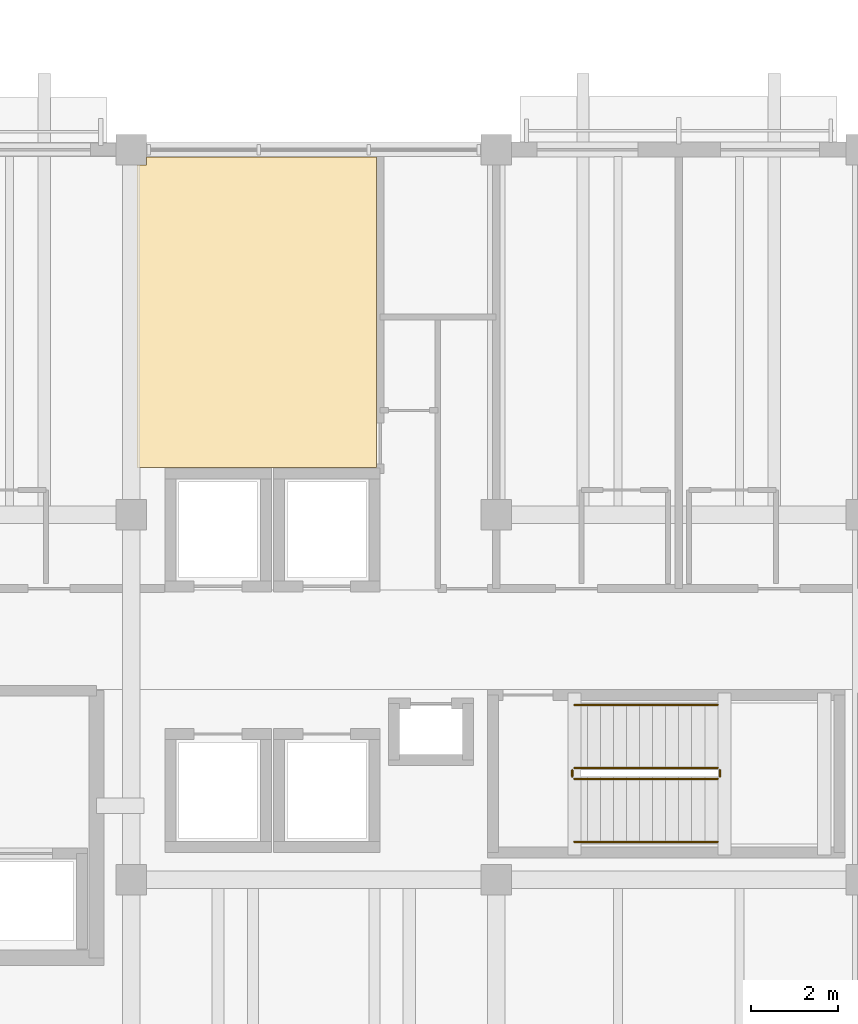
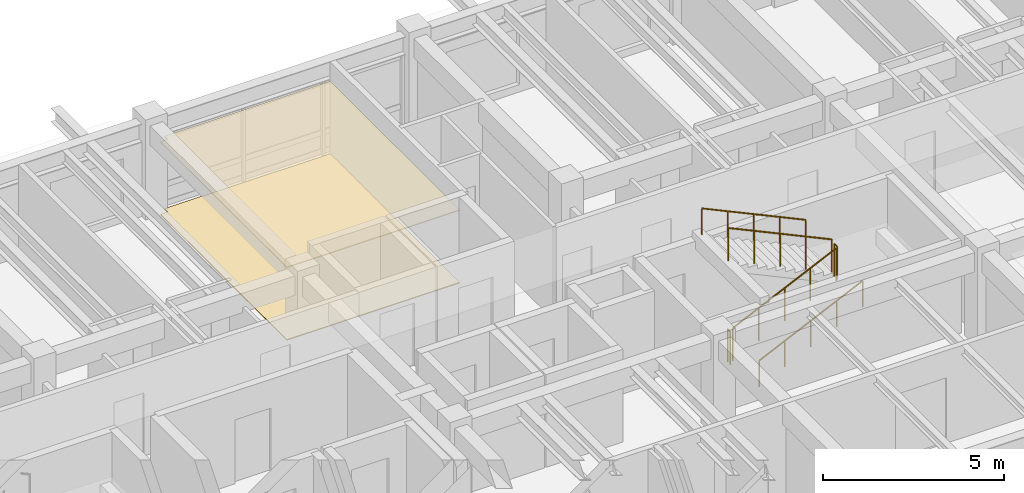
# One storey, part 61 of 64: 6 railings, 2 coverings.
"""IFC4 building model written with IfcOpenShell, lengths in metres."""

from ifc_helpers import new_model, si_unit, direction, frame, origin, origin_2d, place, context, subcontext, project, spatial, polyline, circle, outline, extrude, material, layer, layer_set, type_object, element, save


model = new_model("IFC4")

# Units and contexts
model_context = context("Model", 3, precision=1e-05, world=origin(), true_north=direction((0.0, 1.0)))
body_context = subcontext(model_context, "Body", "Model", "MODEL_VIEW")
ifc_project = project(units=[si_unit("LENGTHUNIT", "METRE"), si_unit("AREAUNIT", "SQUARE_METRE"), si_unit("VOLUMEUNIT", "CUBIC_METRE"), si_unit("PLANEANGLEUNIT", "RADIAN"), si_unit("MASSUNIT", "GRAM", prefix="KILO")], contexts=[model_context])

# Site, building, storey
site_placement = place(None, origin())
site = spatial("IfcSite", under=ifc_project, at=site_placement, CompositionType="ELEMENT")
building_placement = place(site_placement, origin())
building = spatial("IfcBuilding", under=site, at=building_placement, Name="Cumbredor Promenade Congress Hotel", CompositionType="ELEMENT")
storey_placement = place(building_placement, frame((0.0, 0.0, 18.47998046875)))
storey = spatial("IfcBuildingStorey", under=building, at=storey_placement, Name="L05", CompositionType="ELEMENT", Elevation=18.47998046875)

# Covering
ifc_material_1 = material(Name="Acoustic mineral-fiber and gypsum ceiling")
ifc_layer_1 = layer(ifc_material_1, 0.028076171875, Name="Acoustic mineral-fiber and gypsum ceiling")
ifc_layer_set_1 = layer_set([ifc_layer_1], Name="Acoustic mineral-fiber and gypsum ceiling")
covering_type_1 = type_object("IfcCoveringType", Name="Acoustic Perforated Gypsum Ceiling CLG-03 28mm", PredefinedType="CEILING", material=ifc_layer_set_1)
covering_1_placement = place(storey_placement, frame((0.0, 0.0, 2.443115234375)))
element("IfcCovering", 1, at=covering_1_placement, inside=storey, type_object=covering_type_1, Name="L05 Cordillera Reading Salon Acoustic Ceiling", PredefinedType="CEILING", context=body_context, shape_type="SweptSolid", body=[
    extrude(outline(polyline([(33.72998046875, 117.2451171875), (33.955078125, 117.2451171875), (33.955078125, 117.427001953125), (39.239990234375, 117.427001953125), (39.239990234375, 110.280029296875), (33.72998046875, 110.280029296875), (33.72998046875, 117.2451171875)])), origin(), (0.0, 0.0, 1.0), 0.02783203125),
])

# Railings
ifc_material_2 = material(Name="Brushed stainless steel", Category="steel")
railing_type_1 = type_object("IfcRailingType", Name="Interior Void & Stair Guardrail GR-1100", PredefinedType="GUARDRAIL", material=ifc_material_2)
railing_1_placement = place(storey_placement, frame((43.800048828125, 103.1201171875, 0.14013671875)))
element("IfcRailing", 2, at=railing_1_placement, inside=storey, type_object=railing_type_1, Name="L05 ST-03 stair guard 1", PredefinedType="GUARDRAIL", context=body_context, shape_type="SweptSolid", body=[
    extrude(circle(Radius=0.02392578125, at=origin_2d()), frame((0.0, 0.0, 1.09619140625), z_axis=(0.906207117075, 0.0, 0.422834082074), x_axis=(0.0, 1.0, 0.0)), (0.0, 0.0, 1.0), 3.6416015625),
    extrude(circle(Radius=0.02099609375, at=origin_2d()), origin(), (0.0, 0.0, 1.0), 1.072021484375),
    extrude(circle(Radius=0.02099609375, at=origin_2d()), frame((0.824951171875, 0.0, 0.385009765625)), (0.0, 0.0, 1.0), 1.072021484375),
    extrude(circle(Radius=0.02099609375, at=origin_2d()), frame((1.64990234375, 0.0, 0.77001953125)), (0.0, 0.0, 1.0), 1.072021484375),
    extrude(circle(Radius=0.02099609375, at=origin_2d()), frame((2.47509765625, 0.0, 1.15478515625)), (0.0, 0.0, 1.0), 1.072021484375),
    extrude(circle(Radius=0.02099609375, at=origin_2d()), frame((3.300048828125, 0.0, 1.539794921875)), (0.0, 0.0, 1.0), 1.072021484375),
])
railing_2_placement = place(storey_placement, frame((47.14990234375, 103.169921875, 1.679931640625)))
element("IfcRailing", 3, at=railing_2_placement, inside=storey, type_object=railing_type_1, Name="L05 ST-03 stair guard 2", PredefinedType="GUARDRAIL", context=body_context, shape_type="SweptSolid", body=[
    extrude(circle(Radius=0.02392578125, at=origin_2d()), frame((0.0, 0.0, 1.09619140625), z_axis=(0.0, 1.0, 0.0), x_axis=(-1.0, 0.0, 0.0)), (0.0, 0.0, 1.0), 0.150146484375),
    extrude(circle(Radius=0.02099609375, at=origin_2d()), origin(), (0.0, 0.0, 1.0), 1.072021484375),
    extrude(circle(Radius=0.02099609375, at=origin_2d()), frame((0.0, 0.150146484375, 0.0)), (0.0, 0.0, 1.0), 1.072021484375),
])
railing_3_placement = place(storey_placement, frame((47.10009765625, 103.3701171875, 1.820068359375)))
element("IfcRailing", 4, at=railing_3_placement, inside=storey, type_object=railing_type_1, Name="L05 ST-03 stair guard 3", PredefinedType="GUARDRAIL", context=body_context, shape_type="SweptSolid", body=[
    extrude(circle(Radius=0.02392578125, at=origin_2d()), frame((0.0, 0.0, 1.09619140625), z_axis=(-0.906181427284, 0.0, 0.422889135408), x_axis=(0.0, -1.0, 0.0)), (0.0, 0.0, 1.0), 3.6416015625),
    extrude(circle(Radius=0.02099609375, at=origin_2d()), origin(), (0.0, 0.0, 1.0), 1.072021484375),
    extrude(circle(Radius=0.02099609375, at=origin_2d()), frame((-0.824951171875, 0.0, 0.385009765625)), (0.0, 0.0, 1.0), 1.072021484375),
    extrude(circle(Radius=0.02099609375, at=origin_2d()), frame((-1.64990234375, 0.0, 0.77001953125)), (0.0, 0.0, 1.0), 1.072021484375),
    extrude(circle(Radius=0.02099609375, at=origin_2d()), frame((-2.47509765625, 0.0, 1.155029296875)), (0.0, 0.0, 1.0), 1.072021484375),
    extrude(circle(Radius=0.02099609375, at=origin_2d()), frame((-3.300048828125, 0.0, 1.5400390625)), (0.0, 0.0, 1.0), 1.072021484375),
])
railing_4_placement = place(storey_placement, frame((43.75, 103.169921875, 0.0)))
element("IfcRailing", 5, at=railing_4_placement, inside=storey, type_object=railing_type_1, Name="L05 ST-03 stair guard 4", PredefinedType="GUARDRAIL", context=body_context, shape_type="SweptSolid", body=[
    extrude(circle(Radius=0.02392578125, at=origin_2d()), frame((0.0, 0.0, 1.09619140625), z_axis=(0.0, 1.0, 0.0), x_axis=(-1.0, 0.0, 0.0)), (0.0, 0.0, 1.0), 0.150146484375),
    extrude(circle(Radius=0.02099609375, at=origin_2d()), origin(), (0.0, 0.0, 1.0), 1.072021484375),
    extrude(circle(Radius=0.02099609375, at=origin_2d()), frame((0.0, 0.150146484375, 0.0)), (0.0, 0.0, 1.0), 1.072021484375),
])

# Covering
ifc_material_3 = material(Name="Porcelain stoneware tile", Category="masonry")
ifc_layer_2 = layer(ifc_material_3, 0.030029296875, Name="Porcelain stoneware tile", Category="masonry")
ifc_layer_set_2 = layer_set([ifc_layer_2], Name="Porcelain stoneware tile")
covering_type_2 = type_object("IfcCoveringType", Name="Porcelain Stoneware Flooring FLR-03 30mm", PredefinedType="FLOORING", material=ifc_layer_set_2)
covering_2_placement = place(storey_placement, origin())
element("IfcCovering", 6, at=covering_2_placement, inside=storey, type_object=covering_type_2, Name="L05 Cordillera Reading Salon Porcelain Flooring", PredefinedType="FLOORING", context=body_context, shape_type="SweptSolid", body=[
    extrude(outline(polyline([(33.72998046875, 117.2451171875), (33.955078125, 117.2451171875), (33.955078125, 117.427001953125), (39.239990234375, 117.427001953125), (39.239990234375, 110.280029296875), (33.72998046875, 110.280029296875), (33.72998046875, 117.2451171875)])), origin(), (0.0, 0.0, 1.0), 0.030029296875),
])

# Railings
railing_type_2 = type_object("IfcRailingType", Name="Stair Pitch Handrail HR-900", PredefinedType="HANDRAIL", material=ifc_material_2)
railing_5_placement = place(storey_placement, frame((43.800048828125, 101.669921875, 0.14013671875)))
element("IfcRailing", 7, at=railing_5_placement, inside=storey, type_object=railing_type_2, Name="L05 ST-03 stair handrail 1", PredefinedType="HANDRAIL", context=body_context, shape_type="SweptSolid", body=[
    extrude(circle(Radius=0.02392578125, at=origin_2d()), frame((0.0, 0.0, 0.8759765625), z_axis=(0.906207117075, 0.0, 0.422834082074), x_axis=(0.0, 1.0, 0.0)), (0.0, 0.0, 1.0), 3.6416015625),
    extrude(circle(Radius=0.02099609375, at=origin_2d()), origin(), (0.0, 0.0, 1.0), 0.851806640625),
    extrude(circle(Radius=0.02099609375, at=origin_2d()), frame((0.824951171875, 0.0, 0.385009765625)), (0.0, 0.0, 1.0), 0.851806640625),
    extrude(circle(Radius=0.02099609375, at=origin_2d()), frame((1.64990234375, 0.0, 0.77001953125)), (0.0, 0.0, 1.0), 0.851806640625),
    extrude(circle(Radius=0.02099609375, at=origin_2d()), frame((2.47509765625, 0.0, 1.15478515625)), (0.0, 0.0, 1.0), 0.851806640625),
    extrude(circle(Radius=0.02099609375, at=origin_2d()), frame((3.300048828125, 0.0, 1.539794921875)), (0.0, 0.0, 1.0), 0.851806640625),
])
railing_6_placement = place(storey_placement, frame((47.10009765625, 104.820068359375, 1.820068359375)))
element("IfcRailing", 8, at=railing_6_placement, inside=storey, type_object=railing_type_2, Name="L05 ST-03 stair handrail 2", PredefinedType="HANDRAIL", context=body_context, shape_type="SweptSolid", body=[
    extrude(circle(Radius=0.02392578125, at=origin_2d()), frame((0.0, 0.0, 0.8759765625), z_axis=(-0.906181427284, 0.0, 0.422889135408), x_axis=(0.0, -1.0, 0.0)), (0.0, 0.0, 1.0), 3.6416015625),
    extrude(circle(Radius=0.02099609375, at=origin_2d()), origin(), (0.0, 0.0, 1.0), 0.851806640625),
    extrude(circle(Radius=0.02099609375, at=origin_2d()), frame((-0.824951171875, 0.0, 0.385009765625)), (0.0, 0.0, 1.0), 0.851806640625),
    extrude(circle(Radius=0.02099609375, at=origin_2d()), frame((-1.64990234375, 0.0, 0.77001953125)), (0.0, 0.0, 1.0), 0.851806640625),
    extrude(circle(Radius=0.02099609375, at=origin_2d()), frame((-2.47509765625, 0.0, 1.155029296875)), (0.0, 0.0, 1.0), 0.851806640625),
    extrude(circle(Radius=0.02099609375, at=origin_2d()), frame((-3.300048828125, 0.0, 1.5400390625)), (0.0, 0.0, 1.0), 0.851806640625),
])

save(model, "model.ifc")
